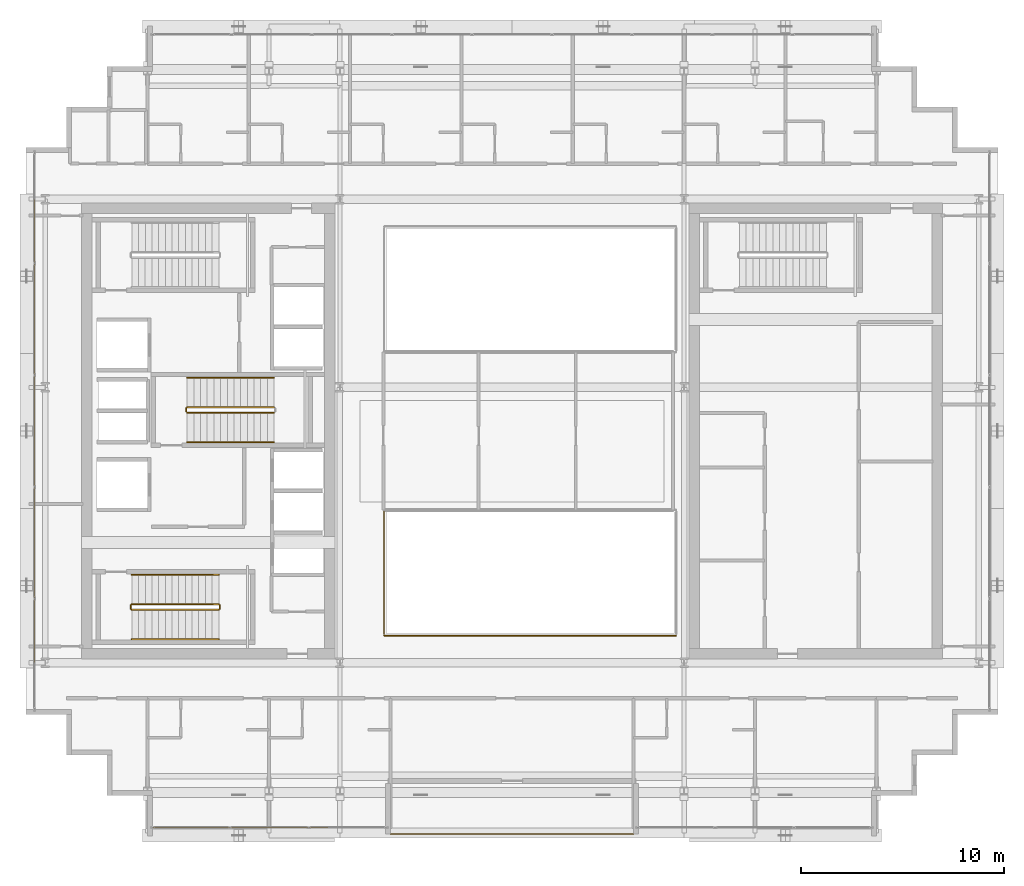
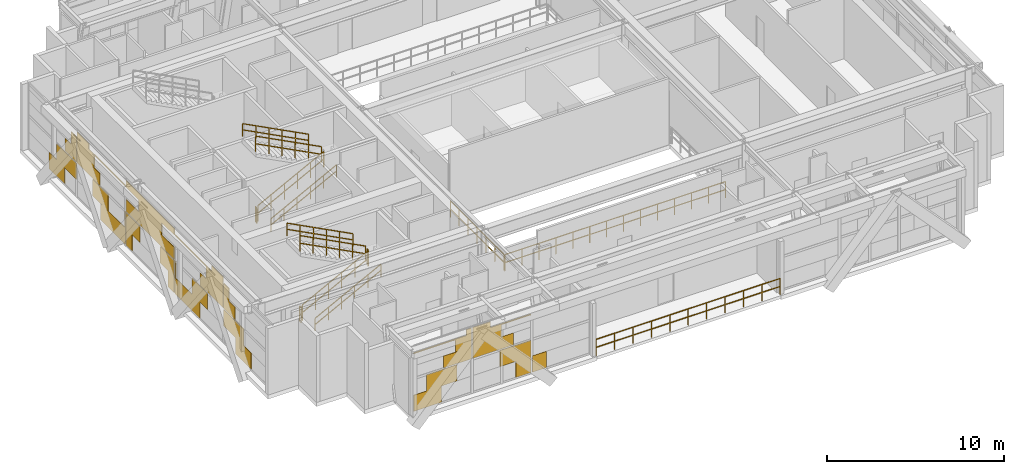
# One storey, part 28 of 31: 14 railings, 2 coverings.
"""IFC4 building model written with IfcOpenShell, lengths in metres."""

from ifc_helpers import new_model, si_unit, direction, frame, origin, origin_2d, place, context, subcontext, project, spatial, rectangle, extrude, material, layer, layer_set, type_object, element, save


model = new_model("IFC4")

# Units and contexts
model_context = context("Model", 3, precision=1e-05, world=origin(), true_north=direction((0.0, 1.0)))
body_context = subcontext(model_context, "Body", "Model", "MODEL_VIEW")
ifc_project = project(units=[si_unit("LENGTHUNIT", "METRE"), si_unit("AREAUNIT", "SQUARE_METRE"), si_unit("VOLUMEUNIT", "CUBIC_METRE"), si_unit("PLANEANGLEUNIT", "RADIAN"), si_unit("MASSUNIT", "GRAM", prefix="KILO")], contexts=[model_context])

# Site, building, storey
site_placement = place(None, origin())
site = spatial("IfcSite", under=ifc_project, at=site_placement, CompositionType="ELEMENT")
building_placement = place(site_placement, origin())
building = spatial("IfcBuilding", under=site, at=building_placement, Name="Ocotamira Hotel", CompositionType="ELEMENT")
storey_placement = place(building_placement, frame((0.0, 0.0, 228.0)))
storey = spatial("IfcBuildingStorey", under=building, at=storey_placement, Name="L57", CompositionType="ELEMENT", Elevation=228.0)

# Coverings
ifc_material_1 = material(Name="Insulated pale-metal aluminium spandrel panel", Category="aluminium")
ifc_layer = layer(ifc_material_1, 0.044921875)
ifc_layer_set = layer_set([ifc_layer], Name="Insulated pale-metal aluminium spandrel panel")
covering_type = type_object("IfcCoveringType", Name="COV-INFILL-45", PredefinedType="CLADDING", material=ifc_layer_set)
covering_1_placement = place(storey_placement, origin())
element("IfcCovering", 1, at=covering_1_placement, inside=storey, type_object=covering_type, Name="L57 Curtain Wall Infill CW-5 CW-L57-S1", PredefinedType="CLADDING", context=body_context, shape_type="SweptSolid", body=[
    extrude(rectangle(XDim=1.7919921875, YDim=0.044921875, at=origin_2d()), frame((15.176513671875, 6.419921875, 0.07568359375), z_axis=(0.0, 0.0, 1.0), x_axis=(1.0, 0.0, 0.0)), (0.0, 0.0, 1.0), 1.117919921875),
    extrude(rectangle(XDim=1.989013671875, YDim=0.044921875, at=origin_2d()), frame((16.114013671875, 6.419921875, 1.1943359375), z_axis=(0.0, 0.0, 1.0), x_axis=(1.0, 0.0, 0.0)), (0.0, 0.0, 1.0), 1.117919921875),
    extrude(rectangle(XDim=3.76220703125, YDim=0.044921875, at=origin_2d()), frame((16.16162109375, 6.419921875, 4.04150390625), z_axis=(0.0, 0.0, 1.0), x_axis=(1.0, 0.0, 0.0)), (0.0, 0.0, 1.0), 0.068603515625),
    extrude(rectangle(XDim=1.81787109375, YDim=0.044921875, at=origin_2d()), frame((17.1337890625, 6.419921875, 2.387939453125), z_axis=(0.0, 0.0, 1.0), x_axis=(1.0, 0.0, 0.0)), (0.0, 0.0, 1.0), 0.82568359375),
    extrude(rectangle(XDim=1.052490234375, YDim=0.044921875, at=origin_2d()), frame((17.5166015625, 6.419921875, 3.21484375), z_axis=(0.0, 0.0, 1.0), x_axis=(1.0, 0.0, 0.0)), (0.0, 0.0, 1.0), 0.82568359375),
    extrude(rectangle(XDim=0.3212890625, YDim=0.044921875, at=origin_2d()), frame((17.882080078125, 6.419921875, 4.111328125), z_axis=(0.0, 0.0, 1.0), x_axis=(1.0, 0.0, 0.0)), (0.0, 0.0, 1.0), 0.393310546875),
    extrude(rectangle(XDim=2.03466796875, YDim=0.044921875, at=origin_2d()), frame((20.908935546875, 6.419921875, 1.1943359375), z_axis=(0.0, 0.0, 1.0), x_axis=(1.0, 0.0, 0.0)), (0.0, 0.0, 1.0), 1.117919921875),
    extrude(rectangle(XDim=0.998779296875, YDim=0.044921875, at=origin_2d()), frame((21.4267578125, 6.419921875, 0.07568359375), z_axis=(0.0, 0.0, 1.0), x_axis=(1.0, 0.0, 0.0)), (0.0, 0.0, 1.0), 1.117919921875),
    extrude(rectangle(XDim=2.6513671875, YDim=0.044921875, at=origin_2d()), frame((19.449462890625, 6.419921875, 2.387939453125), z_axis=(0.0, 0.0, 1.0), x_axis=(1.0, 0.0, 0.0)), (0.0, 0.0, 1.0), 0.82568359375),
    extrude(rectangle(XDim=1.8857421875, YDim=0.044921875, at=origin_2d()), frame((19.066650390625, 6.419921875, 3.21484375), z_axis=(0.0, 0.0, 1.0), x_axis=(1.0, 0.0, 0.0)), (0.0, 0.0, 1.0), 0.82568359375),
    extrude(rectangle(XDim=3.80224609375, YDim=0.044921875, at=origin_2d()), frame((20.02490234375, 6.419921875, 4.04150390625), z_axis=(0.0, 0.0, 1.0), x_axis=(1.0, 0.0, 0.0)), (0.0, 0.0, 1.0), 0.068603515625),
    extrude(rectangle(XDim=1.15478515625, YDim=0.044921875, at=origin_2d()), frame((18.701171875, 6.419921875, 4.111328125), z_axis=(0.0, 0.0, 1.0), x_axis=(1.0, 0.0, 0.0)), (0.0, 0.0, 1.0), 0.393310546875),
    extrude(rectangle(XDim=0.9091796875, YDim=0.044921875, at=origin_2d()), frame((22.461669921875, 6.419921875, 0.07568359375), z_axis=(0.0, 0.0, 1.0), x_axis=(1.0, 0.0, 0.0)), (0.0, 0.0, 1.0), 1.117919921875),
])
covering_2_placement = place(storey_placement, origin())
element("IfcCovering", 2, at=covering_2_placement, inside=storey, type_object=covering_type, Name="L57 Curtain Wall Infill CW-5 CW-L57-W", PredefinedType="CLADDING", context=body_context, shape_type="SweptSolid", body=[
    extrude(rectangle(XDim=1.767578125, YDim=0.044921875, at=origin_2d()), frame((8.419921875, 15.46435546875, 0.07568359375), z_axis=(0.0, 0.0, 1.0), x_axis=(0.0, 1.0, 0.0)), (0.0, 0.0, 1.0), 1.117919921875),
    extrude(rectangle(XDim=2.22021484375, YDim=0.044921875, at=origin_2d()), frame((8.419921875, 16.5693359375, 1.1943359375), z_axis=(0.0, 0.0, 1.0), x_axis=(0.0, 1.0, 0.0)), (0.0, 0.0, 1.0), 1.117919921875),
    extrude(rectangle(XDim=1.282958984375, YDim=0.044921875, at=origin_2d()), frame((8.419921875, 17.0380859375, 2.387939453125), z_axis=(0.0, 0.0, 1.0), x_axis=(0.0, 1.0, 0.0)), (0.0, 0.0, 1.0), 0.8720703125),
    extrude(rectangle(XDim=0.597412109375, YDim=0.044921875, at=origin_2d()), frame((8.419921875, 17.380859375, 3.260986328125), z_axis=(0.0, 0.0, 1.0), x_axis=(0.0, 1.0, 0.0)), (0.0, 0.0, 1.0), 0.8720703125),
    extrude(rectangle(XDim=1.767578125, YDim=0.044921875, at=origin_2d()), frame((8.419921875, 20.390380859375, 1.1943359375), z_axis=(0.0, 0.0, 1.0), x_axis=(0.0, 1.0, 0.0)), (0.0, 0.0, 1.0), 1.117919921875),
    extrude(rectangle(XDim=2.814453125, YDim=0.044921875, at=origin_2d()), frame((8.419921875, 21.792236328125, 0.07568359375), z_axis=(0.0, 0.0, 1.0), x_axis=(0.0, 1.0, 0.0)), (0.0, 0.0, 1.0), 1.117919921875),
    extrude(rectangle(XDim=0.10693359375, YDim=0.044921875, at=origin_2d()), frame((8.419921875, 23.14599609375, 1.1943359375), z_axis=(0.0, 0.0, 1.0), x_axis=(0.0, 1.0, 0.0)), (0.0, 0.0, 1.0), 1.117919921875),
    extrude(rectangle(XDim=2.576171875, YDim=0.044921875, at=origin_2d()), frame((8.419921875, 19.048583984375, 2.387939453125), z_axis=(0.0, 0.0, 1.0), x_axis=(0.0, 1.0, 0.0)), (0.0, 0.0, 1.0), 0.83447265625),
    extrude(rectangle(XDim=1.920166015625, YDim=0.044921875, at=origin_2d()), frame((8.419921875, 18.720458984375, 3.223388671875), z_axis=(0.0, 0.0, 1.0), x_axis=(0.0, 1.0, 0.0)), (0.0, 0.0, 1.0), 0.83447265625),
    extrude(rectangle(XDim=5.43896484375, YDim=0.044921875, at=origin_2d()), frame((8.419921875, 20.47998046875, 4.058837890625), z_axis=(0.0, 0.0, 1.0), x_axis=(0.0, 1.0, 0.0)), (0.0, 0.0, 1.0), 0.07421875),
    extrude(rectangle(XDim=1.30126953125, YDim=0.044921875, at=origin_2d()), frame((8.419921875, 18.4111328125, 4.1337890625), z_axis=(0.0, 0.0, 1.0), x_axis=(0.0, 1.0, 0.0)), (0.0, 0.0, 1.0), 0.37060546875),
    extrude(rectangle(XDim=0.700927734375, YDim=0.044921875, at=origin_2d()), frame((8.419921875, 23.631103515625, 0.07568359375), z_axis=(0.0, 0.0, 1.0), x_axis=(0.0, 1.0, 0.0)), (0.0, 0.0, 1.0), 1.117919921875),
    extrude(rectangle(XDim=1.57958984375, YDim=0.044921875, at=origin_2d()), frame((8.419921875, 24.0703125, 1.1943359375), z_axis=(0.0, 0.0, 1.0), x_axis=(0.0, 1.0, 0.0)), (0.0, 0.0, 1.0), 1.117919921875),
    extrude(rectangle(XDim=1.57958984375, YDim=0.044921875, at=origin_2d()), frame((8.419921875, 27.9296875, 1.1943359375), z_axis=(0.0, 0.0, 1.0), x_axis=(0.0, 1.0, 0.0)), (0.0, 0.0, 1.0), 1.117919921875),
    extrude(rectangle(XDim=0.700927734375, YDim=0.044921875, at=origin_2d()), frame((8.419921875, 28.368896484375, 0.07568359375), z_axis=(0.0, 0.0, 1.0), x_axis=(0.0, 1.0, 0.0)), (0.0, 0.0, 1.0), 1.117919921875),
    extrude(rectangle(XDim=5.43896484375, YDim=0.044921875, at=origin_2d()), frame((8.419921875, 26.0, 2.387939453125), z_axis=(0.0, 0.0, 1.0), x_axis=(0.0, 1.0, 0.0)), (0.0, 0.0, 1.0), 0.83447265625),
    extrude(rectangle(XDim=5.43896484375, YDim=0.044921875, at=origin_2d()), frame((8.419921875, 26.0, 4.05859375), z_axis=(0.0, 0.0, 1.0), x_axis=(0.0, 1.0, 0.0)), (0.0, 0.0, 1.0), 0.44580078125),
    extrude(rectangle(XDim=2.6279296875, YDim=0.044921875, at=origin_2d()), frame((8.419921875, 26.0, 3.223388671875), z_axis=(0.0, 0.0, 1.0), x_axis=(0.0, 1.0, 0.0)), (0.0, 0.0, 1.0), 0.83447265625),
    extrude(rectangle(XDim=2.814453125, YDim=0.044921875, at=origin_2d()), frame((8.419921875, 30.207763671875, 0.07568359375), z_axis=(0.0, 0.0, 1.0), x_axis=(0.0, 1.0, 0.0)), (0.0, 0.0, 1.0), 1.117919921875),
    extrude(rectangle(XDim=0.10693359375, YDim=0.044921875, at=origin_2d()), frame((8.419921875, 28.85400390625, 1.1943359375), z_axis=(0.0, 0.0, 1.0), x_axis=(0.0, 1.0, 0.0)), (0.0, 0.0, 1.0), 1.117919921875),
    extrude(rectangle(XDim=1.767578125, YDim=0.044921875, at=origin_2d()), frame((8.419921875, 31.609619140625, 1.1943359375), z_axis=(0.0, 0.0, 1.0), x_axis=(0.0, 1.0, 0.0)), (0.0, 0.0, 1.0), 1.117919921875),
    extrude(rectangle(XDim=5.43896484375, YDim=0.044921875, at=origin_2d()), frame((8.419921875, 31.52001953125, 4.058837890625), z_axis=(0.0, 0.0, 1.0), x_axis=(0.0, 1.0, 0.0)), (0.0, 0.0, 1.0), 0.07421875),
    extrude(rectangle(XDim=2.576171875, YDim=0.044921875, at=origin_2d()), frame((8.419921875, 32.951416015625, 2.387939453125), z_axis=(0.0, 0.0, 1.0), x_axis=(0.0, 1.0, 0.0)), (0.0, 0.0, 1.0), 0.83447265625),
    extrude(rectangle(XDim=1.920166015625, YDim=0.044921875, at=origin_2d()), frame((8.419921875, 33.279541015625, 3.223388671875), z_axis=(0.0, 0.0, 1.0), x_axis=(0.0, 1.0, 0.0)), (0.0, 0.0, 1.0), 0.83447265625),
    extrude(rectangle(XDim=1.30126953125, YDim=0.044921875, at=origin_2d()), frame((8.419921875, 33.5888671875, 4.1337890625), z_axis=(0.0, 0.0, 1.0), x_axis=(0.0, 1.0, 0.0)), (0.0, 0.0, 1.0), 0.37060546875),
    extrude(rectangle(XDim=2.22021484375, YDim=0.044921875, at=origin_2d()), frame((8.419921875, 35.4306640625, 1.1943359375), z_axis=(0.0, 0.0, 1.0), x_axis=(0.0, 1.0, 0.0)), (0.0, 0.0, 1.0), 1.117919921875),
    extrude(rectangle(XDim=1.767578125, YDim=0.044921875, at=origin_2d()), frame((8.419921875, 36.53564453125, 0.07568359375), z_axis=(0.0, 0.0, 1.0), x_axis=(0.0, 1.0, 0.0)), (0.0, 0.0, 1.0), 1.117919921875),
    extrude(rectangle(XDim=1.282958984375, YDim=0.044921875, at=origin_2d()), frame((8.419921875, 34.9619140625, 2.387939453125), z_axis=(0.0, 0.0, 1.0), x_axis=(0.0, 1.0, 0.0)), (0.0, 0.0, 1.0), 0.8720703125),
    extrude(rectangle(XDim=0.597412109375, YDim=0.044921875, at=origin_2d()), frame((8.419921875, 34.619140625, 3.260986328125), z_axis=(0.0, 0.0, 1.0), x_axis=(0.0, 1.0, 0.0)), (0.0, 0.0, 1.0), 0.8720703125),
])

# Railings
ifc_material_2 = material(Name="Laminated glass and pale-metal balustrade", Category="glass")
railing_type_1 = type_object("IfcRailingType", Name="RL-BAL-1150", PredefinedType="BALUSTRADE", material=ifc_material_2)
railing_1_placement = place(storey_placement, frame((26.0, 6.10009765625, 0.0)))
element("IfcRailing", 3, at=railing_1_placement, inside=storey, type_object=railing_type_1, Name="L57 Sky Terrace Balustrade 1", PredefinedType="BALUSTRADE", context=body_context, shape_type="SweptSolid", body=[
    extrude(rectangle(XDim=0.048095703125, YDim=0.048095703125, at=origin_2d()), frame((0.0, 0.0, 1.1259765625), z_axis=(1.0, 0.0, 0.0), x_axis=(0.0, 1.0, 0.0)), (0.0, 0.0, 1.0), 12.0),
    extrude(rectangle(XDim=0.048095703125, YDim=0.048095703125, at=origin_2d()), frame((0.0, 0.0, 0.574951171875), z_axis=(1.0, 0.0, 0.0), x_axis=(0.0, 1.0, 0.0)), (0.0, 0.0, 1.0), 12.0),
    extrude(rectangle(XDim=0.0419921875, YDim=0.0419921875, at=origin_2d()), origin(), (0.0, 0.0, 1.0), 1.101806640625),
    extrude(rectangle(XDim=0.0419921875, YDim=0.0419921875, at=origin_2d()), frame((1.199951171875, 0.0, 0.0)), (0.0, 0.0, 1.0), 1.101806640625),
    extrude(rectangle(XDim=0.0419921875, YDim=0.0419921875, at=origin_2d()), frame((2.39990234375, 0.0, 0.0)), (0.0, 0.0, 1.0), 1.101806640625),
    extrude(rectangle(XDim=0.0419921875, YDim=0.0419921875, at=origin_2d()), frame((3.60009765625, 0.0, 0.0)), (0.0, 0.0, 1.0), 1.101806640625),
    extrude(rectangle(XDim=0.0419921875, YDim=0.0419921875, at=origin_2d()), frame((4.800048828125, 0.0, 0.0)), (0.0, 0.0, 1.0), 1.101806640625),
    extrude(rectangle(XDim=0.0419921875, YDim=0.0419921875, at=origin_2d()), frame((6.0, 0.0, 0.0)), (0.0, 0.0, 1.0), 1.101806640625),
    extrude(rectangle(XDim=0.0419921875, YDim=0.0419921875, at=origin_2d()), frame((7.199951171875, 0.0, 0.0)), (0.0, 0.0, 1.0), 1.101806640625),
    extrude(rectangle(XDim=0.0419921875, YDim=0.0419921875, at=origin_2d()), frame((8.39990234375, 0.0, 0.0)), (0.0, 0.0, 1.0), 1.101806640625),
    extrude(rectangle(XDim=0.0419921875, YDim=0.0419921875, at=origin_2d()), frame((9.60009765625, 0.0, 0.0)), (0.0, 0.0, 1.0), 1.101806640625),
    extrude(rectangle(XDim=0.0419921875, YDim=0.0419921875, at=origin_2d()), frame((10.800048828125, 0.0, 0.0)), (0.0, 0.0, 1.0), 1.101806640625),
    extrude(rectangle(XDim=0.0419921875, YDim=0.0419921875, at=origin_2d()), frame((12.0, 0.0, 0.0)), (0.0, 0.0, 1.0), 1.101806640625),
])
ifc_material_3 = material(Name="Painted steel stair guardrail", Category="steel")
railing_type_2 = type_object("IfcRailingType", Name="RL-EDGE-1150", PredefinedType="GUARDRAIL", material=ifc_material_3)
railing_2_placement = place(storey_placement, frame((25.699951171875, 15.89990234375, 0.0)))
element("IfcRailing", 4, at=railing_2_placement, inside=storey, type_object=railing_type_2, Name="L57 Atrium Bridge Lightwell Guard S S", PredefinedType="GUARDRAIL", context=body_context, shape_type="SweptSolid", body=[
    extrude(rectangle(XDim=0.048095703125, YDim=0.048095703125, at=origin_2d()), frame((0.0, 0.0, 1.1259765625), z_axis=(1.0, 0.0, 0.0), x_axis=(0.0, 1.0, 0.0)), (0.0, 0.0, 1.0), 14.400146484375),
    extrude(rectangle(XDim=0.048095703125, YDim=0.048095703125, at=origin_2d()), frame((0.0, 0.0, 0.574951171875), z_axis=(1.0, 0.0, 0.0), x_axis=(0.0, 1.0, 0.0)), (0.0, 0.0, 1.0), 14.400146484375),
    extrude(rectangle(XDim=0.0419921875, YDim=0.0419921875, at=origin_2d()), origin(), (0.0, 0.0, 1.0), 1.101806640625),
    extrude(rectangle(XDim=0.0419921875, YDim=0.0419921875, at=origin_2d()), frame((1.107666015625, 0.0, 0.0)), (0.0, 0.0, 1.0), 1.101806640625),
    extrude(rectangle(XDim=0.0419921875, YDim=0.0419921875, at=origin_2d()), frame((2.21533203125, 0.0, 0.0)), (0.0, 0.0, 1.0), 1.101806640625),
    extrude(rectangle(XDim=0.0419921875, YDim=0.0419921875, at=origin_2d()), frame((3.322998046875, 0.0, 0.0)), (0.0, 0.0, 1.0), 1.101806640625),
    extrude(rectangle(XDim=0.0419921875, YDim=0.0419921875, at=origin_2d()), frame((4.430908203125, 0.0, 0.0)), (0.0, 0.0, 1.0), 1.101806640625),
    extrude(rectangle(XDim=0.0419921875, YDim=0.0419921875, at=origin_2d()), frame((5.53857421875, 0.0, 0.0)), (0.0, 0.0, 1.0), 1.101806640625),
    extrude(rectangle(XDim=0.0419921875, YDim=0.0419921875, at=origin_2d()), frame((6.646240234375, 0.0, 0.0)), (0.0, 0.0, 1.0), 1.101806640625),
    extrude(rectangle(XDim=0.0419921875, YDim=0.0419921875, at=origin_2d()), frame((7.75390625, 0.0, 0.0)), (0.0, 0.0, 1.0), 1.101806640625),
    extrude(rectangle(XDim=0.0419921875, YDim=0.0419921875, at=origin_2d()), frame((8.861572265625, 0.0, 0.0)), (0.0, 0.0, 1.0), 1.101806640625),
    extrude(rectangle(XDim=0.0419921875, YDim=0.0419921875, at=origin_2d()), frame((9.96923828125, 0.0, 0.0)), (0.0, 0.0, 1.0), 1.101806640625),
    extrude(rectangle(XDim=0.0419921875, YDim=0.0419921875, at=origin_2d()), frame((11.0771484375, 0.0, 0.0)), (0.0, 0.0, 1.0), 1.101806640625),
    extrude(rectangle(XDim=0.0419921875, YDim=0.0419921875, at=origin_2d()), frame((12.184814453125, 0.0, 0.0)), (0.0, 0.0, 1.0), 1.101806640625),
    extrude(rectangle(XDim=0.0419921875, YDim=0.0419921875, at=origin_2d()), frame((13.29248046875, 0.0, 0.0)), (0.0, 0.0, 1.0), 1.101806640625),
    extrude(rectangle(XDim=0.0419921875, YDim=0.0419921875, at=origin_2d()), frame((14.400146484375, 0.0, 0.0)), (0.0, 0.0, 1.0), 1.101806640625),
])
railing_3_placement = place(storey_placement, frame((25.679931640625, 22.02001953125, 0.0)))
element("IfcRailing", 5, at=railing_3_placement, inside=storey, type_object=railing_type_2, Name="L57 Atrium Bridge Lightwell Guard S W", PredefinedType="GUARDRAIL", context=body_context, shape_type="SweptSolid", body=[
    extrude(rectangle(XDim=0.048095703125, YDim=0.048095703125, at=origin_2d()), frame((0.0, 0.0, 1.1259765625), z_axis=(0.0, -1.0, 0.0), x_axis=(1.0, 0.0, 0.0)), (0.0, 0.0, 1.0), 6.0400390625),
    extrude(rectangle(XDim=0.048095703125, YDim=0.048095703125, at=origin_2d()), frame((0.0, 0.0, 0.574951171875), z_axis=(0.0, -1.0, 0.0), x_axis=(1.0, 0.0, 0.0)), (0.0, 0.0, 1.0), 6.0400390625),
    extrude(rectangle(XDim=0.0419921875, YDim=0.0419921875, at=origin_2d()), origin(), (0.0, 0.0, 1.0), 1.101806640625),
    extrude(rectangle(XDim=0.0419921875, YDim=0.0419921875, at=origin_2d()), frame((0.0, -1.006591796875, 0.0)), (0.0, 0.0, 1.0), 1.101806640625),
    extrude(rectangle(XDim=0.0419921875, YDim=0.0419921875, at=origin_2d()), frame((0.0, -2.013427734375, 0.0)), (0.0, 0.0, 1.0), 1.101806640625),
    extrude(rectangle(XDim=0.0419921875, YDim=0.0419921875, at=origin_2d()), frame((0.0, -3.02001953125, 0.0)), (0.0, 0.0, 1.0), 1.101806640625),
    extrude(rectangle(XDim=0.0419921875, YDim=0.0419921875, at=origin_2d()), frame((0.0, -4.026611328125, 0.0)), (0.0, 0.0, 1.0), 1.101806640625),
    extrude(rectangle(XDim=0.0419921875, YDim=0.0419921875, at=origin_2d()), frame((0.0, -5.033447265625, 0.0)), (0.0, 0.0, 1.0), 1.101806640625),
    extrude(rectangle(XDim=0.0419921875, YDim=0.0419921875, at=origin_2d()), frame((0.0, -6.0400390625, 0.0)), (0.0, 0.0, 1.0), 1.101806640625),
])
ifc_material_4 = material(Name="Brushed stainless steel handrail", Category="steel")
railing_type_3 = type_object("IfcRailingType", Name="RL-HAND-900", PredefinedType="HANDRAIL", material=ifc_material_4)
railing_4_placement = place(storey_placement, frame((13.22998046875, 15.719970703125, 0.3427734375)))
element("IfcRailing", 6, at=railing_4_placement, inside=storey, type_object=railing_type_3, Name="L57 ST-1 stair handrail 1", PredefinedType="HANDRAIL", context=body_context, shape_type="SweptSolid", body=[
    extrude(rectangle(XDim=0.048095703125, YDim=0.048095703125, at=origin_2d()), frame((0.0, 0.0, 0.8759765625), z_axis=(0.887391199149, 0.0, 0.46101720106), x_axis=(0.0, 1.0, 0.0)), (0.0, 0.0, 1.0), 4.83447265625),
    extrude(rectangle(XDim=0.048095703125, YDim=0.048095703125, at=origin_2d()), frame((0.0, 0.0, 0.449951171875), z_axis=(0.887391199149, 0.0, 0.46101720106), x_axis=(0.0, 1.0, 0.0)), (0.0, 0.0, 1.0), 4.83447265625),
    extrude(rectangle(XDim=0.0419921875, YDim=0.0419921875, at=origin_2d()), origin(), (0.0, 0.0, 1.0), 0.851806640625),
    extrude(rectangle(XDim=0.0419921875, YDim=0.0419921875, at=origin_2d()), frame((0.85791015625, 0.0, 0.44580078125)), (0.0, 0.0, 1.0), 0.851806640625),
    extrude(rectangle(XDim=0.0419921875, YDim=0.0419921875, at=origin_2d()), frame((1.716064453125, 0.0, 0.8916015625)), (0.0, 0.0, 1.0), 0.851806640625),
    extrude(rectangle(XDim=0.0419921875, YDim=0.0419921875, at=origin_2d()), frame((2.573974609375, 0.0, 1.337158203125)), (0.0, 0.0, 1.0), 0.851806640625),
    extrude(rectangle(XDim=0.0419921875, YDim=0.0419921875, at=origin_2d()), frame((3.43212890625, 0.0, 1.782958984375)), (0.0, 0.0, 1.0), 0.851806640625),
    extrude(rectangle(XDim=0.0419921875, YDim=0.0419921875, at=origin_2d()), frame((4.2900390625, 0.0, 2.228759765625)), (0.0, 0.0, 1.0), 0.851806640625),
])
railing_5_placement = place(storey_placement, frame((17.52001953125, 18.89990234375, 2.742919921875)))
element("IfcRailing", 7, at=railing_5_placement, inside=storey, type_object=railing_type_3, Name="L57 ST-1 stair handrail 2", PredefinedType="HANDRAIL", context=body_context, shape_type="SweptSolid", body=[
    extrude(rectangle(XDim=0.048095703125, YDim=0.048095703125, at=origin_2d()), frame((0.0, 0.0, 0.8759765625), z_axis=(-0.887411858541, 0.0, 0.46097743255), x_axis=(0.0, -1.0, 0.0)), (0.0, 0.0, 1.0), 4.834228515625),
    extrude(rectangle(XDim=0.048095703125, YDim=0.048095703125, at=origin_2d()), frame((0.0, 0.0, 0.449951171875), z_axis=(-0.887411858541, 0.0, 0.46097743255), x_axis=(0.0, -1.0, 0.0)), (0.0, 0.0, 1.0), 4.834228515625),
    extrude(rectangle(XDim=0.0419921875, YDim=0.0419921875, at=origin_2d()), origin(), (0.0, 0.0, 1.0), 0.851806640625),
    extrude(rectangle(XDim=0.0419921875, YDim=0.0419921875, at=origin_2d()), frame((-0.85791015625, 0.0, 0.44580078125)), (0.0, 0.0, 1.0), 0.851806640625),
    extrude(rectangle(XDim=0.0419921875, YDim=0.0419921875, at=origin_2d()), frame((-1.716064453125, 0.0, 0.891357421875)), (0.0, 0.0, 1.0), 0.851806640625),
    extrude(rectangle(XDim=0.0419921875, YDim=0.0419921875, at=origin_2d()), frame((-2.573974609375, 0.0, 1.337158203125)), (0.0, 0.0, 1.0), 0.851806640625),
    extrude(rectangle(XDim=0.0419921875, YDim=0.0419921875, at=origin_2d()), frame((-3.43212890625, 0.0, 1.78271484375)), (0.0, 0.0, 1.0), 0.851806640625),
    extrude(rectangle(XDim=0.0419921875, YDim=0.0419921875, at=origin_2d()), frame((-4.2900390625, 0.0, 2.228515625)), (0.0, 0.0, 1.0), 0.851806640625),
])
railing_6_placement = place(storey_placement, frame((15.9599609375, 25.449951171875, 0.3427734375)))
element("IfcRailing", 8, at=railing_6_placement, inside=storey, type_object=railing_type_3, Name="L57 ST-3 stair handrail 1", PredefinedType="HANDRAIL", context=body_context, shape_type="SweptSolid", body=[
    extrude(rectangle(XDim=0.048095703125, YDim=0.048095703125, at=origin_2d()), frame((0.0, 0.0, 0.8759765625), z_axis=(0.887391199149, 0.0, 0.46101720106), x_axis=(0.0, 1.0, 0.0)), (0.0, 0.0, 1.0), 4.83447265625),
    extrude(rectangle(XDim=0.048095703125, YDim=0.048095703125, at=origin_2d()), frame((0.0, 0.0, 0.449951171875), z_axis=(0.887391199149, 0.0, 0.46101720106), x_axis=(0.0, 1.0, 0.0)), (0.0, 0.0, 1.0), 4.83447265625),
    extrude(rectangle(XDim=0.0419921875, YDim=0.0419921875, at=origin_2d()), origin(), (0.0, 0.0, 1.0), 0.851806640625),
    extrude(rectangle(XDim=0.0419921875, YDim=0.0419921875, at=origin_2d()), frame((0.85791015625, 0.0, 0.44580078125)), (0.0, 0.0, 1.0), 0.851806640625),
    extrude(rectangle(XDim=0.0419921875, YDim=0.0419921875, at=origin_2d()), frame((1.716064453125, 0.0, 0.8916015625)), (0.0, 0.0, 1.0), 0.851806640625),
    extrude(rectangle(XDim=0.0419921875, YDim=0.0419921875, at=origin_2d()), frame((2.573974609375, 0.0, 1.337158203125)), (0.0, 0.0, 1.0), 0.851806640625),
    extrude(rectangle(XDim=0.0419921875, YDim=0.0419921875, at=origin_2d()), frame((3.43212890625, 0.0, 1.782958984375)), (0.0, 0.0, 1.0), 0.851806640625),
    extrude(rectangle(XDim=0.0419921875, YDim=0.0419921875, at=origin_2d()), frame((4.2900390625, 0.0, 2.228759765625)), (0.0, 0.0, 1.0), 0.851806640625),
])
railing_7_placement = place(storey_placement, frame((20.25, 28.6298828125, 2.742919921875)))
element("IfcRailing", 9, at=railing_7_placement, inside=storey, type_object=railing_type_3, Name="L57 ST-3 stair handrail 2", PredefinedType="HANDRAIL", context=body_context, shape_type="SweptSolid", body=[
    extrude(rectangle(XDim=0.048095703125, YDim=0.048095703125, at=origin_2d()), frame((0.0, 0.0, 0.8759765625), z_axis=(-0.887411858541, 0.0, 0.46097743255), x_axis=(0.0, -1.0, 0.0)), (0.0, 0.0, 1.0), 4.834228515625),
    extrude(rectangle(XDim=0.048095703125, YDim=0.048095703125, at=origin_2d()), frame((0.0, 0.0, 0.449951171875), z_axis=(-0.887411858541, 0.0, 0.46097743255), x_axis=(0.0, -1.0, 0.0)), (0.0, 0.0, 1.0), 4.834228515625),
    extrude(rectangle(XDim=0.0419921875, YDim=0.0419921875, at=origin_2d()), origin(), (0.0, 0.0, 1.0), 0.851806640625),
    extrude(rectangle(XDim=0.0419921875, YDim=0.0419921875, at=origin_2d()), frame((-0.85791015625, 0.0, 0.44580078125)), (0.0, 0.0, 1.0), 0.851806640625),
    extrude(rectangle(XDim=0.0419921875, YDim=0.0419921875, at=origin_2d()), frame((-1.716064453125, 0.0, 0.891357421875)), (0.0, 0.0, 1.0), 0.851806640625),
    extrude(rectangle(XDim=0.0419921875, YDim=0.0419921875, at=origin_2d()), frame((-2.573974609375, 0.0, 1.337158203125)), (0.0, 0.0, 1.0), 0.851806640625),
    extrude(rectangle(XDim=0.0419921875, YDim=0.0419921875, at=origin_2d()), frame((-3.43212890625, 0.0, 1.78271484375)), (0.0, 0.0, 1.0), 0.851806640625),
    extrude(rectangle(XDim=0.0419921875, YDim=0.0419921875, at=origin_2d()), frame((-4.2900390625, 0.0, 2.228515625)), (0.0, 0.0, 1.0), 0.851806640625),
])
railing_type_4 = type_object("IfcRailingType", Name="RL-STAIR-1100", PredefinedType="GUARDRAIL", material=ifc_material_3)
railing_8_placement = place(storey_placement, frame((13.22998046875, 17.179931640625, 0.17138671875)))
element("IfcRailing", 10, at=railing_8_placement, inside=storey, type_object=railing_type_4, Name="L57 ST-1 stair guard 1", PredefinedType="GUARDRAIL", context=body_context, shape_type="SweptSolid", body=[
    extrude(rectangle(XDim=0.048095703125, YDim=0.048095703125, at=origin_2d()), frame((0.0, 0.0, 1.076171875), z_axis=(0.887411858541, 0.0, 0.46097743255), x_axis=(0.0, 1.0, 0.0)), (0.0, 0.0, 1.0), 4.834228515625),
    extrude(rectangle(XDim=0.048095703125, YDim=0.048095703125, at=origin_2d()), frame((0.0, 0.0, 0.550048828125), z_axis=(0.887411858541, 0.0, 0.46097743255), x_axis=(0.0, 1.0, 0.0)), (0.0, 0.0, 1.0), 4.834228515625),
    extrude(rectangle(XDim=0.0419921875, YDim=0.0419921875, at=origin_2d()), origin(), (0.0, 0.0, 1.0), 1.052001953125),
    extrude(rectangle(XDim=0.0419921875, YDim=0.0419921875, at=origin_2d()), frame((0.85791015625, 0.0, 0.44580078125)), (0.0, 0.0, 1.0), 1.052001953125),
    extrude(rectangle(XDim=0.0419921875, YDim=0.0419921875, at=origin_2d()), frame((1.716064453125, 0.0, 0.891357421875)), (0.0, 0.0, 1.0), 1.052001953125),
    extrude(rectangle(XDim=0.0419921875, YDim=0.0419921875, at=origin_2d()), frame((2.573974609375, 0.0, 1.337158203125)), (0.0, 0.0, 1.0), 1.052001953125),
    extrude(rectangle(XDim=0.0419921875, YDim=0.0419921875, at=origin_2d()), frame((3.43212890625, 0.0, 1.78271484375)), (0.0, 0.0, 1.0), 1.052001953125),
    extrude(rectangle(XDim=0.0419921875, YDim=0.0419921875, at=origin_2d()), frame((4.2900390625, 0.0, 2.228515625)), (0.0, 0.0, 1.0), 1.052001953125),
])
railing_9_placement = place(storey_placement, frame((17.570068359375, 17.22998046875, 2.39990234375)))
element("IfcRailing", 11, at=railing_9_placement, inside=storey, type_object=railing_type_4, Name="L57 ST-1 stair guard 2", PredefinedType="GUARDRAIL", context=body_context, shape_type="SweptSolid", body=[
    extrude(rectangle(XDim=0.048095703125, YDim=0.048095703125, at=origin_2d()), frame((0.0, 0.0, 1.076171875), z_axis=(0.0, 1.0, 0.0), x_axis=(-1.0, 0.0, 0.0)), (0.0, 0.0, 1.0), 0.159912109375),
    extrude(rectangle(XDim=0.048095703125, YDim=0.048095703125, at=origin_2d()), frame((0.0, 0.0, 0.550048828125), z_axis=(0.0, 1.0, 0.0), x_axis=(-1.0, 0.0, 0.0)), (0.0, 0.0, 1.0), 0.159912109375),
    extrude(rectangle(XDim=0.0419921875, YDim=0.0419921875, at=origin_2d()), origin(), (0.0, 0.0, 1.0), 1.052001953125),
    extrude(rectangle(XDim=0.0419921875, YDim=0.0419921875, at=origin_2d()), frame((0.0, 0.159912109375, 0.0)), (0.0, 0.0, 1.0), 1.052001953125),
])
railing_10_placement = place(storey_placement, frame((17.52001953125, 17.43994140625, 2.571533203125)))
element("IfcRailing", 12, at=railing_10_placement, inside=storey, type_object=railing_type_4, Name="L57 ST-1 stair guard 3", PredefinedType="GUARDRAIL", context=body_context, shape_type="SweptSolid", body=[
    extrude(rectangle(XDim=0.048095703125, YDim=0.048095703125, at=origin_2d()), frame((0.0, 0.0, 1.076171875), z_axis=(-0.887411858541, 0.0, 0.46097743255), x_axis=(0.0, -1.0, 0.0)), (0.0, 0.0, 1.0), 4.834228515625),
    extrude(rectangle(XDim=0.048095703125, YDim=0.048095703125, at=origin_2d()), frame((0.0, 0.0, 0.550048828125), z_axis=(-0.887411858541, 0.0, 0.46097743255), x_axis=(0.0, -1.0, 0.0)), (0.0, 0.0, 1.0), 4.834228515625),
    extrude(rectangle(XDim=0.0419921875, YDim=0.0419921875, at=origin_2d()), origin(), (0.0, 0.0, 1.0), 1.052001953125),
    extrude(rectangle(XDim=0.0419921875, YDim=0.0419921875, at=origin_2d()), frame((-0.85791015625, 0.0, 0.44580078125)), (0.0, 0.0, 1.0), 1.052001953125),
    extrude(rectangle(XDim=0.0419921875, YDim=0.0419921875, at=origin_2d()), frame((-1.716064453125, 0.0, 0.891357421875)), (0.0, 0.0, 1.0), 1.052001953125),
    extrude(rectangle(XDim=0.0419921875, YDim=0.0419921875, at=origin_2d()), frame((-2.573974609375, 0.0, 1.337158203125)), (0.0, 0.0, 1.0), 1.052001953125),
    extrude(rectangle(XDim=0.0419921875, YDim=0.0419921875, at=origin_2d()), frame((-3.43212890625, 0.0, 1.78271484375)), (0.0, 0.0, 1.0), 1.052001953125),
    extrude(rectangle(XDim=0.0419921875, YDim=0.0419921875, at=origin_2d()), frame((-4.2900390625, 0.0, 2.228515625)), (0.0, 0.0, 1.0), 1.052001953125),
])
railing_11_placement = place(storey_placement, frame((13.179931640625, 17.22998046875, 0.0)))
element("IfcRailing", 13, at=railing_11_placement, inside=storey, type_object=railing_type_4, Name="L57 ST-1 stair guard 4", PredefinedType="GUARDRAIL", context=body_context, shape_type="SweptSolid", body=[
    extrude(rectangle(XDim=0.048095703125, YDim=0.048095703125, at=origin_2d()), frame((0.0, 0.0, 1.076171875), z_axis=(0.0, 1.0, 0.0), x_axis=(-1.0, 0.0, 0.0)), (0.0, 0.0, 1.0), 0.159912109375),
    extrude(rectangle(XDim=0.048095703125, YDim=0.048095703125, at=origin_2d()), frame((0.0, 0.0, 0.550048828125), z_axis=(0.0, 1.0, 0.0), x_axis=(-1.0, 0.0, 0.0)), (0.0, 0.0, 1.0), 0.159912109375),
    extrude(rectangle(XDim=0.0419921875, YDim=0.0419921875, at=origin_2d()), origin(), (0.0, 0.0, 1.0), 1.052001953125),
    extrude(rectangle(XDim=0.0419921875, YDim=0.0419921875, at=origin_2d()), frame((0.0, 0.159912109375, 0.0)), (0.0, 0.0, 1.0), 1.052001953125),
])
railing_12_placement = place(storey_placement, frame((15.9599609375, 26.909912109375, 0.17138671875)))
element("IfcRailing", 14, at=railing_12_placement, inside=storey, type_object=railing_type_4, Name="L57 ST-3 stair guard 1", PredefinedType="GUARDRAIL", context=body_context, shape_type="SweptSolid", body=[
    extrude(rectangle(XDim=0.048095703125, YDim=0.048095703125, at=origin_2d()), frame((0.0, 0.0, 1.076171875), z_axis=(0.887411858541, 0.0, 0.46097743255), x_axis=(0.0, 1.0, 0.0)), (0.0, 0.0, 1.0), 4.834228515625),
    extrude(rectangle(XDim=0.048095703125, YDim=0.048095703125, at=origin_2d()), frame((0.0, 0.0, 0.550048828125), z_axis=(0.887411858541, 0.0, 0.46097743255), x_axis=(0.0, 1.0, 0.0)), (0.0, 0.0, 1.0), 4.834228515625),
    extrude(rectangle(XDim=0.0419921875, YDim=0.0419921875, at=origin_2d()), origin(), (0.0, 0.0, 1.0), 1.052001953125),
    extrude(rectangle(XDim=0.0419921875, YDim=0.0419921875, at=origin_2d()), frame((0.85791015625, 0.0, 0.44580078125)), (0.0, 0.0, 1.0), 1.052001953125),
    extrude(rectangle(XDim=0.0419921875, YDim=0.0419921875, at=origin_2d()), frame((1.716064453125, 0.0, 0.891357421875)), (0.0, 0.0, 1.0), 1.052001953125),
    extrude(rectangle(XDim=0.0419921875, YDim=0.0419921875, at=origin_2d()), frame((2.573974609375, 0.0, 1.337158203125)), (0.0, 0.0, 1.0), 1.052001953125),
    extrude(rectangle(XDim=0.0419921875, YDim=0.0419921875, at=origin_2d()), frame((3.43212890625, 0.0, 1.78271484375)), (0.0, 0.0, 1.0), 1.052001953125),
    extrude(rectangle(XDim=0.0419921875, YDim=0.0419921875, at=origin_2d()), frame((4.2900390625, 0.0, 2.228515625)), (0.0, 0.0, 1.0), 1.052001953125),
])
railing_13_placement = place(storey_placement, frame((20.25, 27.169921875, 2.571533203125)))
element("IfcRailing", 15, at=railing_13_placement, inside=storey, type_object=railing_type_4, Name="L57 ST-3 stair guard 3", PredefinedType="GUARDRAIL", context=body_context, shape_type="SweptSolid", body=[
    extrude(rectangle(XDim=0.048095703125, YDim=0.048095703125, at=origin_2d()), frame((0.0, 0.0, 1.076171875), z_axis=(-0.887411858541, 0.0, 0.46097743255), x_axis=(0.0, -1.0, 0.0)), (0.0, 0.0, 1.0), 4.834228515625),
    extrude(rectangle(XDim=0.048095703125, YDim=0.048095703125, at=origin_2d()), frame((0.0, 0.0, 0.550048828125), z_axis=(-0.887411858541, 0.0, 0.46097743255), x_axis=(0.0, -1.0, 0.0)), (0.0, 0.0, 1.0), 4.834228515625),
    extrude(rectangle(XDim=0.0419921875, YDim=0.0419921875, at=origin_2d()), origin(), (0.0, 0.0, 1.0), 1.052001953125),
    extrude(rectangle(XDim=0.0419921875, YDim=0.0419921875, at=origin_2d()), frame((-0.85791015625, 0.0, 0.44580078125)), (0.0, 0.0, 1.0), 1.052001953125),
    extrude(rectangle(XDim=0.0419921875, YDim=0.0419921875, at=origin_2d()), frame((-1.716064453125, 0.0, 0.891357421875)), (0.0, 0.0, 1.0), 1.052001953125),
    extrude(rectangle(XDim=0.0419921875, YDim=0.0419921875, at=origin_2d()), frame((-2.573974609375, 0.0, 1.337158203125)), (0.0, 0.0, 1.0), 1.052001953125),
    extrude(rectangle(XDim=0.0419921875, YDim=0.0419921875, at=origin_2d()), frame((-3.43212890625, 0.0, 1.78271484375)), (0.0, 0.0, 1.0), 1.052001953125),
    extrude(rectangle(XDim=0.0419921875, YDim=0.0419921875, at=origin_2d()), frame((-4.2900390625, 0.0, 2.228515625)), (0.0, 0.0, 1.0), 1.052001953125),
])
railing_14_placement = place(storey_placement, frame((15.909912109375, 26.9599609375, 0.0)))
element("IfcRailing", 16, at=railing_14_placement, inside=storey, type_object=railing_type_4, Name="L57 ST-3 stair guard 4", PredefinedType="GUARDRAIL", context=body_context, shape_type="SweptSolid", body=[
    extrude(rectangle(XDim=0.048095703125, YDim=0.048095703125, at=origin_2d()), frame((0.0, 0.0, 1.076171875), z_axis=(0.0, 1.0, 0.0), x_axis=(-1.0, 0.0, 0.0)), (0.0, 0.0, 1.0), 0.16015625),
    extrude(rectangle(XDim=0.048095703125, YDim=0.048095703125, at=origin_2d()), frame((0.0, 0.0, 0.550048828125), z_axis=(0.0, 1.0, 0.0), x_axis=(-1.0, 0.0, 0.0)), (0.0, 0.0, 1.0), 0.16015625),
    extrude(rectangle(XDim=0.0419921875, YDim=0.0419921875, at=origin_2d()), origin(), (0.0, 0.0, 1.0), 1.052001953125),
    extrude(rectangle(XDim=0.0419921875, YDim=0.0419921875, at=origin_2d()), frame((0.0, 0.16015625, 0.0)), (0.0, 0.0, 1.0), 1.052001953125),
])

save(model, "model.ifc")
